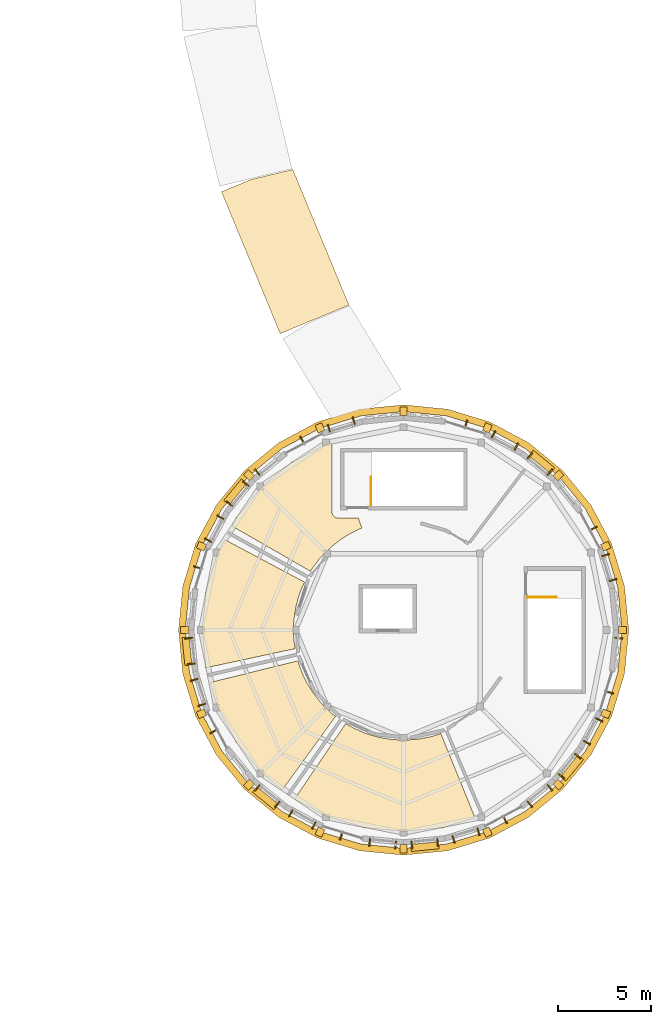
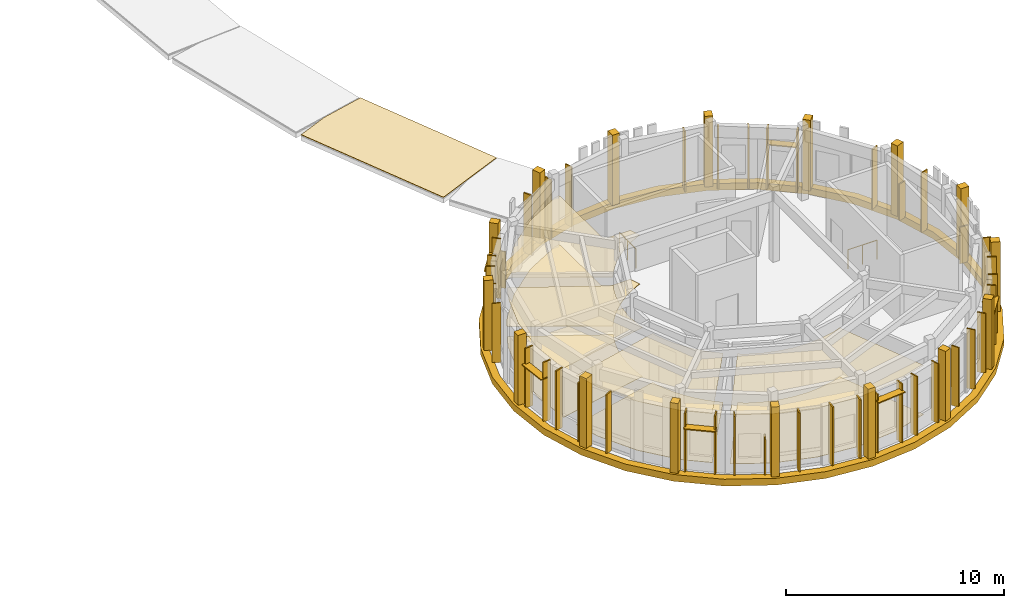
# One storey, part 55 of 58: 48 shading devices, 26 coverings, 2 railings.
"""IFC4 building model written with IfcOpenShell, lengths in metres."""

from ifc_helpers import new_model, si_unit, direction, frame, origin, origin_2d, place, context, subcontext, project, spatial, polyline, rectangle, circle, outline, extrude, material, layer, layer_set, type_object, element, save


model = new_model("IFC4")

# Units and contexts
model_context = context("Model", 3, precision=1e-05, world=origin(), true_north=direction((0.0, 1.0)))
body_context = subcontext(model_context, "Body", "Model", "MODEL_VIEW")
ifc_project = project(units=[si_unit("LENGTHUNIT", "METRE"), si_unit("AREAUNIT", "SQUARE_METRE"), si_unit("VOLUMEUNIT", "CUBIC_METRE"), si_unit("PLANEANGLEUNIT", "RADIAN"), si_unit("MASSUNIT", "GRAM", prefix="KILO")], contexts=[model_context])

# Site, building, storey
site_placement = place(None, origin())
site = spatial("IfcSite", under=ifc_project, at=site_placement, CompositionType="ELEMENT")
building_placement = place(site_placement, origin())
building = spatial("IfcBuilding", under=site, at=building_placement, Name="Aldenvaro Health Centre", CompositionType="ELEMENT")
storey_placement = place(building_placement, frame((0.0, 0.0, 8.75)))
storey = spatial("IfcBuildingStorey", under=building, at=storey_placement, Name="L02", CompositionType="ELEMENT", Elevation=8.75)

# Coverings
ifc_material_1 = material(Name="Antimicrobial Mineral Fibre Ceiling")
ifc_layer_1 = layer(ifc_material_1, 0.01806640625, Name="Antimicrobial Mineral Fibre Ceiling")
ifc_layer_set_1 = layer_set([ifc_layer_1], Name="Antimicrobial Mineral Fibre Ceiling")
covering_type_1 = type_object("IfcCoveringType", Name="COV-CLG-ACT18", PredefinedType="CEILING", material=ifc_layer_set_1)
covering_1_placement = place(storey_placement, frame((0.0, 0.0, 2.75)))
element("IfcCovering", 1, at=covering_1_placement, inside=storey, type_object=covering_type_1, Name="D6-L02-R01 Suspended Ceiling", PredefinedType="CEILING", context=body_context, shape_type="SweptSolid", body=[
    extrude(outline(polyline([(152.01904296875, 23.864013671875), (152.0, 23.85498046875), (151.55908203125, 23.6259765625), (151.5400390625, 23.614990234375), (151.12109375, 23.34912109375), (151.10400390625, 23.3359375), (150.708984375, 23.033935546875), (150.693115234375, 23.02001953125), (150.326904296875, 22.68408203125), (150.31201171875, 22.669921875), (149.97607421875, 22.302978515625), (149.962890625, 22.287109375), (149.660888671875, 21.89208984375), (149.64892578125, 21.875), (149.5048828125, 21.64892578125), (145.27490234375, 24.0810546875), (145.50390625, 24.510009765625), (146.85009765625, 26.14990234375), (148.489990234375, 27.49609375), (150.360107421875, 28.4951171875), (150.60009765625, 28.568115234375), (150.659912109375, 28.403076171875), (150.659912109375, 24.830078125), (150.659912109375, 24.818115234375), (150.660888671875, 24.81005859375), (150.6630859375, 24.787109375), (150.6640625, 24.779052734375), (150.6689453125, 24.756103515625), (150.6708984375, 24.748046875), (150.677001953125, 24.72607421875), (150.679931640625, 24.718994140625), (150.68896484375, 24.697021484375), (150.69189453125, 24.68994140625), (150.7041015625, 24.6689453125), (150.7080078125, 24.662109375), (150.720947265625, 24.64306640625), (150.72509765625, 24.635986328125), (150.739990234375, 24.617919921875), (150.74609375, 24.612060546875), (150.761962890625, 24.595947265625), (150.76806640625, 24.590087890625), (150.785888671875, 24.574951171875), (150.79296875, 24.571044921875), (150.81201171875, 24.55810546875), (150.819091796875, 24.553955078125), (150.840087890625, 24.5419921875), (150.846923828125, 24.5390625), (150.868896484375, 24.530029296875), (150.8759765625, 24.527099609375), (150.89794921875, 24.52099609375), (150.906005859375, 24.51904296875), (150.928955078125, 24.513916015625), (150.93701171875, 24.512939453125), (150.9599609375, 24.510986328125), (150.968017578125, 24.510009765625), (150.97998046875, 24.510009765625), (152.069091796875, 24.510009765625), (152.26611328125, 23.966064453125), (152.01904296875, 23.864013671875)])), origin(), (0.0, 0.0, 1.0), 0.01806640625),
])
covering_2_placement = place(storey_placement, frame((0.0, 0.0, 2.75)))
element("IfcCovering", 2, at=covering_2_placement, inside=storey, type_object=covering_type_1, Name="D6-L02-R02 Suspended Ceiling", PredefinedType="CEILING", context=body_context, shape_type="SweptSolid", body=[
    extrude(outline(polyline([(143.882080078125, 16.468994140625), (143.681884765625, 18.5), (143.888916015625, 20.610107421875), (144.5048828125, 22.639892578125), (144.888916015625, 23.35888671875), (149.18310546875, 21.06689453125), (149.06689453125, 20.825927734375), (149.05908203125, 20.806884765625), (148.884033203125, 20.341064453125), (148.8779296875, 20.321044921875), (148.7451171875, 19.842041015625), (148.739990234375, 19.822021484375), (148.64892578125, 19.3330078125), (148.64599609375, 19.31201171875), (148.59912109375, 18.81689453125), (148.597900390625, 18.7958984375), (148.593994140625, 18.299072265625), (148.593994140625, 18.278076171875), (148.634033203125, 17.782958984375), (148.636962890625, 17.761962890625), (148.680908203125, 17.498046875), (143.882080078125, 16.468994140625)])), origin(), (0.0, 0.0, 1.0), 0.01806640625),
])
covering_3_placement = place(storey_placement, frame((0.0, 0.0, 2.75)))
element("IfcCovering", 3, at=covering_3_placement, inside=storey, type_object=covering_type_1, Name="D6-L02-R03 Suspended Ceiling", PredefinedType="CEILING", context=body_context, shape_type="SweptSolid", body=[
    extrude(outline(polyline([(148.906005859375, 16.593017578125), (148.9130859375, 16.572998046875), (149.094970703125, 16.111083984375), (149.10302734375, 16.091064453125), (149.324951171875, 15.64599609375), (149.3349609375, 15.6279296875), (149.594970703125, 15.2041015625), (149.60595703125, 15.18701171875), (149.902099609375, 14.787109375), (149.9150390625, 14.77099609375), (150.2451171875, 14.39892578125), (150.260009765625, 14.383056640625), (150.62109375, 14.0419921875), (150.636962890625, 14.028076171875), (150.845947265625, 13.862060546875), (147.989013671875, 9.9150390625), (146.85009765625, 10.85009765625), (145.50390625, 12.489990234375), (144.5048828125, 14.360107421875), (144.10498046875, 15.679931640625), (148.8310546875, 16.85009765625), (148.906005859375, 16.593017578125)])), origin(), (0.0, 0.0, 1.0), 0.01806640625),
])
covering_4_placement = place(storey_placement, frame((0.0, 0.0, 2.75)))
element("IfcCovering", 4, at=covering_4_placement, inside=storey, type_object=covering_type_1, Name="D6-L02-R04 Suspended Ceiling", PredefinedType="CEILING", context=body_context, shape_type="SweptSolid", body=[
    extrude(outline(polyline([(148.64404296875, 9.422119140625), (151.39306640625, 13.48291015625), (151.797119140625, 13.2451171875), (151.822998046875, 13.23095703125), (152.4599609375, 12.9541015625), (152.488037109375, 12.944091796875), (153.154052734375, 12.74609375), (153.181884765625, 12.739013671875), (153.867919921875, 12.6240234375), (153.89697265625, 12.62109375), (154.591064453125, 12.591064453125), (154.6201171875, 12.592041015625), (155.31298828125, 12.64697265625), (155.342041015625, 12.65087890625), (156.02294921875, 12.7900390625), (156.051025390625, 12.798095703125), (156.49609375, 12.947021484375), (158.3369140625, 8.4130859375), (156.610107421875, 7.888916015625), (154.5, 7.681884765625), (152.389892578125, 7.888916015625), (150.360107421875, 8.5048828125), (148.64404296875, 9.422119140625)])), origin(), (0.0, 0.0, 1.0), 0.01806640625),
])
ifc_material_2 = material(Name="Honed Sonoran Buff Limestone", Category="masonry")
ifc_layer_2 = layer(ifc_material_2, 0.280029296875, Name="Honed Sonoran Buff Limestone", Category="masonry")
ifc_layer_set_2 = layer_set([ifc_layer_2], Name="Honed Sonoran Buff Limestone")
covering_type_2 = type_object("IfcCoveringType", Name="COV-CRN-STN", PredefinedType="CLADDING", material=ifc_layer_set_2)
covering_5_placement = place(storey_placement, frame((0.0, 0.0, -0.340087890625)))
element("IfcCovering", 5, at=covering_5_placement, inside=storey, type_object=covering_type_2, Name="D6 L02 Classical Stone Entablature Cornice 1", PredefinedType="CLADDING", context=body_context, shape_type="SweptSolid", body=[
    extrude(outline(polyline([(166.580078125, 18.5), (166.347900390625, 20.85693359375), (165.659912109375, 23.123046875), (164.5439453125, 25.2109375), (163.0419921875, 27.0419921875), (161.2109375, 28.5439453125), (159.123046875, 29.659912109375), (156.85693359375, 30.347900390625), (154.5, 30.580078125), (152.14306640625, 30.347900390625), (149.876953125, 29.659912109375), (147.7890625, 28.5439453125), (145.9580078125, 27.0419921875), (144.4560546875, 25.2109375), (143.340087890625, 23.123046875), (142.652099609375, 20.85693359375), (142.419921875, 18.5), (142.652099609375, 16.14306640625), (143.340087890625, 13.876953125), (144.4560546875, 11.7890625), (145.9580078125, 9.9580078125), (147.7890625, 8.4560546875), (149.876953125, 7.340087890625), (152.14306640625, 6.652099609375), (154.5, 6.419921875), (156.85693359375, 6.652099609375), (159.123046875, 7.340087890625), (161.2109375, 8.4560546875), (163.0419921875, 9.9580078125), (164.5439453125, 11.7890625), (165.659912109375, 13.876953125), (166.347900390625, 16.14306640625), (166.580078125, 18.5)]), holes=[polyline([(166.215087890625, 18.5), (165.989990234375, 16.215087890625), (165.322998046875, 14.01708984375), (164.240966796875, 11.990966796875), (162.783935546875, 10.216064453125), (161.009033203125, 8.759033203125), (158.98291015625, 7.677001953125), (156.784912109375, 7.010009765625), (154.5, 6.784912109375), (152.215087890625, 7.010009765625), (150.01708984375, 7.677001953125), (147.990966796875, 8.759033203125), (146.216064453125, 10.216064453125), (144.759033203125, 11.990966796875), (143.677001953125, 14.01708984375), (143.010009765625, 16.215087890625), (142.784912109375, 18.5), (143.010009765625, 20.784912109375), (143.677001953125, 22.98291015625), (144.759033203125, 25.009033203125), (146.216064453125, 26.783935546875), (147.990966796875, 28.240966796875), (150.01708984375, 29.322998046875), (152.215087890625, 29.989990234375), (154.5, 30.215087890625), (156.784912109375, 29.989990234375), (158.98291015625, 29.322998046875), (161.009033203125, 28.240966796875), (162.783935546875, 26.783935546875), (164.240966796875, 25.009033203125), (165.322998046875, 22.98291015625), (165.989990234375, 20.784912109375), (166.215087890625, 18.5)])]), origin(), (0.0, 0.0, 1.0), 0.380126953125),
])
for number, where, z_axis, x_axis, name in (
    (6, (166.239990234375, 18.5, 0.0), (0.0, 0.0, 1.0), (1.0, 0.0, 0.0), "D6 L02 Engaged Classical Limestone Pilaster 01"),
    (7, (165.345947265625, 14.007080078125, 0.0), (0.0, 0.0, 1.0), (0.923863939312, -0.38272107551, 0.0), "D6 L02 Engaged Classical Limestone Pilaster 02"),
    (8, (162.801025390625, 10.198974609375, 0.0), (0.0, 0.0, 1.0), (0.707106781187, -0.707106781187, 0.0), "D6 L02 Engaged Classical Limestone Pilaster 03"),
    (9, (158.992919921875, 7.654052734375, 0.0), (0.0, 0.0, 1.0), (0.38272107551, -0.923863939312, 0.0), "D6 L02 Engaged Classical Limestone Pilaster 04"),
    (10, (154.5, 6.760009765625, 0.0), (0.0, 0.0, 1.0), (0.0, -1.0, 0.0), "D6 L02 Engaged Classical Limestone Pilaster 05"),
    (11, (150.007080078125, 7.654052734375, 0.0), (0.0, 0.0, 1.0), (-0.38272107551, -0.923863939312, 0.0), "D6 L02 Engaged Classical Limestone Pilaster 06"),
    (12, (146.198974609375, 10.198974609375, 0.0), (0.0, 0.0, 1.0), (-0.707106781187, -0.707106781187, 0.0), "D6 L02 Engaged Classical Limestone Pilaster 07"),
    (13, (143.654052734375, 14.007080078125, 0.0), (0.0, 0.0, 1.0), (-0.923863939312, -0.38272107551, 0.0), "D6 L02 Engaged Classical Limestone Pilaster 08"),
    (14, (142.760009765625, 18.5, 0.0), (0.0, 0.0, 1.0), (-1.0, 0.0, 0.0), "D6 L02 Engaged Classical Limestone Pilaster 09"),
    (15, (143.654052734375, 22.992919921875, 0.0), (0.0, 0.0, 1.0), (-0.923863939312, 0.38272107551, 0.0), "D6 L02 Engaged Classical Limestone Pilaster 10"),
    (16, (146.198974609375, 26.801025390625, 0.0), (0.0, 0.0, 1.0), (-0.707106781187, 0.707106781187, 0.0), "D6 L02 Engaged Classical Limestone Pilaster 11"),
    (17, (150.007080078125, 29.345947265625, 0.0), (0.0, 0.0, 1.0), (-0.38272107551, 0.923863939312, 0.0), "D6 L02 Engaged Classical Limestone Pilaster 12"),
    (18, (154.5, 30.239990234375, 0.0), (0.0, 0.0, 1.0), (0.0, 1.0, 0.0), "D6 L02 Engaged Classical Limestone Pilaster 13"),
    (19, (158.992919921875, 29.345947265625, 0.0), (0.0, 0.0, 1.0), (0.38272107551, 0.923863939312, 0.0), "D6 L02 Engaged Classical Limestone Pilaster 14"),
    (20, (162.801025390625, 26.801025390625, 0.0), (0.0, 0.0, 1.0), (0.707106781187, 0.707106781187, 0.0), "D6 L02 Engaged Classical Limestone Pilaster 15"),
    (21, (165.345947265625, 22.992919921875, 0.0), (0.0, 0.0, 1.0), (0.923863939312, 0.38272107551, 0.0), "D6 L02 Engaged Classical Limestone Pilaster 16"),
):
    element("IfcCovering", number, at=place(storey_placement, frame(where, z_axis=z_axis, x_axis=x_axis)), inside=storey, type_object=covering_type_2, Name=name, PredefinedType="CLADDING", context=body_context, shape_type="SweptSolid", body=[
        extrude(rectangle(XDim=0.43994140625, YDim=0.3798828125, at=origin_2d()), origin(), (0.0, 0.0, 1.0), 3.9599609375),
    ])
ifc_material_3 = material(Name="Polished Epoxy Terrazzo Flooring")
ifc_layer_3 = layer(ifc_material_3, 0.02197265625, Name="Polished Epoxy Terrazzo Flooring")
ifc_layer_set_3 = layer_set([ifc_layer_3], Name="Polished Epoxy Terrazzo Flooring")
covering_type_3 = type_object("IfcCoveringType", Name="COV-FLR-TER22", PredefinedType="FLOORING", material=ifc_layer_set_3)
covering_6_placement = place(storey_placement, origin())
element("IfcCovering", 22, at=covering_6_placement, inside=storey, type_object=covering_type_3, Name="D6-L02-R01 Flooring", PredefinedType="FLOORING", context=body_context, shape_type="SweptSolid", body=[
    extrude(outline(polyline([(152.01904296875, 23.864013671875), (152.0, 23.85498046875), (151.55908203125, 23.6259765625), (151.5400390625, 23.614990234375), (151.12109375, 23.34912109375), (151.10400390625, 23.3359375), (150.708984375, 23.033935546875), (150.693115234375, 23.02001953125), (150.326904296875, 22.68408203125), (150.31201171875, 22.669921875), (149.97607421875, 22.302978515625), (149.962890625, 22.287109375), (149.660888671875, 21.89208984375), (149.64892578125, 21.875), (149.5048828125, 21.64892578125), (145.27490234375, 24.0810546875), (145.50390625, 24.510009765625), (146.85009765625, 26.14990234375), (148.489990234375, 27.49609375), (150.360107421875, 28.4951171875), (150.60009765625, 28.568115234375), (150.659912109375, 28.403076171875), (150.659912109375, 24.830078125), (150.659912109375, 24.818115234375), (150.660888671875, 24.81005859375), (150.6630859375, 24.787109375), (150.6640625, 24.779052734375), (150.6689453125, 24.756103515625), (150.6708984375, 24.748046875), (150.677001953125, 24.72607421875), (150.679931640625, 24.718994140625), (150.68896484375, 24.697021484375), (150.69189453125, 24.68994140625), (150.7041015625, 24.6689453125), (150.7080078125, 24.662109375), (150.720947265625, 24.64306640625), (150.72509765625, 24.635986328125), (150.739990234375, 24.617919921875), (150.74609375, 24.612060546875), (150.761962890625, 24.595947265625), (150.76806640625, 24.590087890625), (150.785888671875, 24.574951171875), (150.79296875, 24.571044921875), (150.81201171875, 24.55810546875), (150.819091796875, 24.553955078125), (150.840087890625, 24.5419921875), (150.846923828125, 24.5390625), (150.868896484375, 24.530029296875), (150.8759765625, 24.527099609375), (150.89794921875, 24.52099609375), (150.906005859375, 24.51904296875), (150.928955078125, 24.513916015625), (150.93701171875, 24.512939453125), (150.9599609375, 24.510986328125), (150.968017578125, 24.510009765625), (150.97998046875, 24.510009765625), (152.069091796875, 24.510009765625), (152.26611328125, 23.966064453125), (152.01904296875, 23.864013671875)])), origin(), (0.0, 0.0, 1.0), 0.02197265625),
])
covering_7_placement = place(storey_placement, origin())
element("IfcCovering", 23, at=covering_7_placement, inside=storey, type_object=covering_type_3, Name="D6-L02-R02 Flooring", PredefinedType="FLOORING", context=body_context, shape_type="SweptSolid", body=[
    extrude(outline(polyline([(143.882080078125, 16.468994140625), (143.681884765625, 18.5), (143.888916015625, 20.610107421875), (144.5048828125, 22.639892578125), (144.888916015625, 23.35888671875), (149.18310546875, 21.06689453125), (149.06689453125, 20.825927734375), (149.05908203125, 20.806884765625), (148.884033203125, 20.341064453125), (148.8779296875, 20.321044921875), (148.7451171875, 19.842041015625), (148.739990234375, 19.822021484375), (148.64892578125, 19.3330078125), (148.64599609375, 19.31201171875), (148.59912109375, 18.81689453125), (148.597900390625, 18.7958984375), (148.593994140625, 18.299072265625), (148.593994140625, 18.278076171875), (148.634033203125, 17.782958984375), (148.636962890625, 17.761962890625), (148.680908203125, 17.498046875), (143.882080078125, 16.468994140625)])), origin(), (0.0, 0.0, 1.0), 0.02197265625),
])
covering_8_placement = place(storey_placement, origin())
element("IfcCovering", 24, at=covering_8_placement, inside=storey, type_object=covering_type_3, Name="D6-L02-R03 Flooring", PredefinedType="FLOORING", context=body_context, shape_type="SweptSolid", body=[
    extrude(outline(polyline([(148.906005859375, 16.593017578125), (148.9130859375, 16.572998046875), (149.094970703125, 16.111083984375), (149.10302734375, 16.091064453125), (149.324951171875, 15.64599609375), (149.3349609375, 15.6279296875), (149.594970703125, 15.2041015625), (149.60595703125, 15.18701171875), (149.902099609375, 14.787109375), (149.9150390625, 14.77099609375), (150.2451171875, 14.39892578125), (150.260009765625, 14.383056640625), (150.62109375, 14.0419921875), (150.636962890625, 14.028076171875), (150.845947265625, 13.862060546875), (147.989013671875, 9.9150390625), (146.85009765625, 10.85009765625), (145.50390625, 12.489990234375), (144.5048828125, 14.360107421875), (144.10498046875, 15.679931640625), (148.8310546875, 16.85009765625), (148.906005859375, 16.593017578125)])), origin(), (0.0, 0.0, 1.0), 0.02197265625),
])
covering_9_placement = place(storey_placement, origin())
element("IfcCovering", 25, at=covering_9_placement, inside=storey, type_object=covering_type_3, Name="D6-L02-R04 Flooring", PredefinedType="FLOORING", context=body_context, shape_type="SweptSolid", body=[
    extrude(outline(polyline([(148.64404296875, 9.422119140625), (151.39306640625, 13.48291015625), (151.797119140625, 13.2451171875), (151.822998046875, 13.23095703125), (152.4599609375, 12.9541015625), (152.488037109375, 12.944091796875), (153.154052734375, 12.74609375), (153.181884765625, 12.739013671875), (153.867919921875, 12.6240234375), (153.89697265625, 12.62109375), (154.591064453125, 12.591064453125), (154.6201171875, 12.592041015625), (155.31298828125, 12.64697265625), (155.342041015625, 12.65087890625), (156.02294921875, 12.7900390625), (156.051025390625, 12.798095703125), (156.49609375, 12.947021484375), (158.3369140625, 8.4130859375), (156.610107421875, 7.888916015625), (154.5, 7.681884765625), (152.389892578125, 7.888916015625), (150.360107421875, 8.5048828125), (148.64404296875, 9.422119140625)])), origin(), (0.0, 0.0, 1.0), 0.02197265625),
])
ifc_material_4 = material(Name="TPO Reflective Cool Roof Membrane")
ifc_layer_4 = layer(ifc_material_4, 0.030029296875, Name="TPO Reflective Cool Roof Membrane")
ifc_layer_set_4 = layer_set([ifc_layer_4], Name="TPO Reflective Cool Roof Membrane")
covering_type_4 = type_object("IfcCoveringType", Name="COV-RF-MEM", PredefinedType="ROOFING", material=ifc_layer_set_4)
covering_10_placement = place(storey_placement, frame((0.0, 0.0, 0.06005859375)))
element("IfcCovering", 26, at=covering_10_placement, inside=storey, type_object=covering_type_4, Name="East Curved Garden Colonnade Arc 7 flat roof Cool Limestone Ballast Membrane", PredefinedType="ROOFING", context=body_context, shape_type="SweptSolid", body=[
    extrude(outline(polyline([(151.570068359375, 35.929931640625), (147.8740234375, 34.39990234375), (144.721923828125, 42.011962890625), (146.333984375, 42.678955078125), (148.553955078125, 43.2119140625), (151.570068359375, 35.929931640625)])), origin(), (0.0, 0.0, 1.0), 0.030029296875),
])

# Railings
ifc_material_5 = material(Name="Painted Architectural Steel", Category="steel")
railing_type = type_object("IfcRailingType", Name="RL-BAL-INT", PredefinedType="BALUSTRADE", material=ifc_material_5)
railing_1_placement = place(storey_placement, frame((161.14990234375, 20.25, 0.0)))
element("IfcRailing", 27, at=railing_1_placement, inside=storey, type_object=railing_type, Name="L02 ST-11 top well guard 1", PredefinedType="BALUSTRADE", context=body_context, shape_type="SweptSolid", body=[
    extrude(circle(Radius=0.02392578125, at=origin_2d()), frame((0.0, 0.0, 1.076171875), z_axis=(1.0, 0.0, 0.0), x_axis=(0.0, 1.0, 0.0)), (0.0, 0.0, 1.0), 1.550048828125),
    extrude(circle(Radius=0.02099609375, at=origin_2d()), origin(), (0.0, 0.0, 1.0), 1.052001953125),
    extrude(circle(Radius=0.02099609375, at=origin_2d()), frame((0.77490234375, 0.0, 0.0)), (0.0, 0.0, 1.0), 1.052001953125),
    extrude(circle(Radius=0.02099609375, at=origin_2d()), frame((1.550048828125, 0.0, 0.0)), (0.0, 0.0, 1.0), 1.052001953125),
])
railing_2_placement = place(storey_placement, frame((152.75, 25.14990234375, 0.0)))
element("IfcRailing", 28, at=railing_2_placement, inside=storey, type_object=railing_type, Name="L02 ST-12 top well guard 1", PredefinedType="BALUSTRADE", context=body_context, shape_type="SweptSolid", body=[
    extrude(circle(Radius=0.02392578125, at=origin_2d()), frame((0.0, 0.0, 1.076171875), z_axis=(0.0, 1.0, 0.0), x_axis=(-1.0, 0.0, 0.0)), (0.0, 0.0, 1.0), 1.550048828125),
    extrude(circle(Radius=0.02099609375, at=origin_2d()), origin(), (0.0, 0.0, 1.0), 1.052001953125),
    extrude(circle(Radius=0.02099609375, at=origin_2d()), frame((0.0, 0.77490234375, 0.0)), (0.0, 0.0, 1.0), 1.052001953125),
    extrude(circle(Radius=0.02099609375, at=origin_2d()), frame((0.0, 1.550048828125, 0.0)), (0.0, 0.0, 1.0), 1.052001953125),
])

# Shading devices
ifc_material_6 = material(Name="Douglas Fir Exterior Glulam GL28h", Category="wood")
shading_device_type_1 = type_object("IfcShadingDeviceType", Name="SHD-FIN-205", PredefinedType="USERDEFINED", material=ifc_material_6)
for number, where, z_axis, x_axis, name in (
    (29, (166.032958984375, 18.06494140625, -0.02001953125), (0.0, 0.0, 1.0), (-0.097997250052, -0.995186685493, 0.0), "D6 L02 Douglas fir fin 1.1"),
    (30, (149.68408203125, 8.011962890625, -0.02001953125), (0.0, 0.0, 1.0), (-0.882018256263, 0.471215232797, 0.0), "D6 L02 Douglas fir fin 11.1"),
    (31, (146.653076171875, 26.962890625, -0.02001953125), (0.0, 0.0, 1.0), (0.772859503767, 0.634577172169, 0.0), "D6 L02 Douglas fir fin 21.1"),
    (32, (165.321044921875, 22.511962890625, -0.02001953125), (0.0, 0.0, 1.0), (0.290342622208, -0.956922756407, 0.0), "D6 L02 Douglas fir fin 31.1"),
):
    element("IfcShadingDevice", number, at=place(storey_placement, frame(where, z_axis=z_axis, x_axis=x_axis)), inside=storey, type_object=shading_device_type_1, Name=name, ObjectType="FIN", PredefinedType="USERDEFINED", context=body_context, shape_type="SweptSolid", body=[
        extrude(rectangle(XDim=0.06494140625, YDim=0.419921875, at=origin_2d()), origin(), (0.0, 0.0, 1.0), 2.050048828125),
    ])
shading_device_type_2 = type_object("IfcShadingDeviceType", Name="SHD-FIN-340", PredefinedType="USERDEFINED", material=ifc_material_6)
for number, where, z_axis, x_axis, name in (
    (33, (163.847900390625, 11.72998046875, -0.02001953125), (0.0, 0.0, 1.0), (-0.634577172169, -0.772859503767, 0.0), "D6 L02 Douglas fir fin 4.1"),
    (34, (162.962890625, 10.653076171875, -0.02001953125), (0.0, 0.0, 1.0), (-0.634577172169, -0.772859503767, 0.0), "D6 L02 Douglas fir fin 4.3"),
    (35, (151.14599609375, 7.443115234375, -0.02001953125), (0.0, 0.0, 1.0), (-0.956922756407, 0.290342622208, 0.0), "D6 L02 vertical timber fin 10.0"),
    (36, (143.10400390625, 16.677001953125, -0.02001953125), (0.0, 0.0, 1.0), (-0.097997250052, 0.995186685493, 0.0), "D6 L02 Douglas fir fin 16.1"),
    (37, (142.967041015625, 18.06494140625, -0.02001953125), (0.0, 0.0, 1.0), (-0.097997250052, 0.995186685493, 0.0), "D6 L02 Douglas fir fin 16.3"),
    (38, (149.052978515625, 28.69091796875, -0.02001953125), (0.0, 0.0, 1.0), (0.882018256263, 0.471215232797, 0.0), "D6 L02 vertical timber fin 22.0"),
    (39, (161.27001953125, 27.847900390625, -0.02001953125), (0.0, 0.0, 1.0), (0.772859503767, -0.634577172169, 0.0), "D6 L02 Douglas fir fin 28.1"),
    (40, (162.346923828125, 26.962890625, -0.02001953125), (0.0, 0.0, 1.0), (0.772859503767, -0.634577172169, 0.0), "D6 L02 Douglas fir fin 28.3"),
):
    element("IfcShadingDevice", number, at=place(storey_placement, frame(where, z_axis=z_axis, x_axis=x_axis)), inside=storey, type_object=shading_device_type_2, Name=name, ObjectType="FIN", PredefinedType="USERDEFINED", context=body_context, shape_type="SweptSolid", body=[
        extrude(rectangle(XDim=0.074951171875, YDim=0.419921875, at=origin_2d()), origin(), (0.0, 0.0, 1.0), 3.35400390625),
    ])
shading_device_type_3 = type_object("IfcShadingDeviceType", Name="SHD-FIN-380", PredefinedType="USERDEFINED", material=ifc_material_6)
for number, where, z_axis, x_axis, name in (
    (41, (164.988037109375, 13.68408203125, -0.02001953125), (0.0, 0.0, 1.0), (-0.471215232797, -0.882018256263, 0.0), "D6 L02 Douglas fir fin 3.1"),
    (42, (164.3310546875, 12.4541015625, -0.02001953125), (0.0, 0.0, 1.0), (-0.471215232797, -0.882018256263, 0.0), "D6 L02 Douglas fir fin 3.3"),
    (43, (154.06494140625, 6.967041015625, -0.02001953125), (0.0, 0.0, 1.0), (-0.995186685493, 0.097997250052, 0.0), "D6 L02 Douglas fir fin 9.1"),
    (44, (152.677001953125, 7.10400390625, -0.02001953125), (0.0, 0.0, 1.0), (-0.995186685493, 0.097997250052, 0.0), "D6 L02 Douglas fir fin 9.3"),
    (45, (143.678955078125, 14.488037109375, -0.02001953125), (0.0, 0.0, 1.0), (-0.290342622208, 0.956922756407, 0.0), "D6 L02 Douglas fir fin 15.1"),
    (46, (143.27294921875, 15.822998046875, -0.02001953125), (0.0, 0.0, 1.0), (-0.290342622208, 0.956922756407, 0.0), "D6 L02 Douglas fir fin 15.3"),
    (47, (159.31591796875, 28.988037109375, -0.02001953125), (0.0, 0.0, 1.0), (0.882018256263, -0.471215232797, 0.0), "D6 L02 Douglas fir fin 27.1"),
    (48, (160.5458984375, 28.3310546875, -0.02001953125), (0.0, 0.0, 1.0), (0.882018256263, -0.471215232797, 0.0), "D6 L02 Douglas fir fin 27.3"),
):
    element("IfcShadingDevice", number, at=place(storey_placement, frame(where, z_axis=z_axis, x_axis=x_axis)), inside=storey, type_object=shading_device_type_3, Name=name, ObjectType="FIN", PredefinedType="USERDEFINED", context=body_context, shape_type="SweptSolid", body=[
        extrude(rectangle(XDim=0.074951171875, YDim=0.419921875, at=origin_2d()), origin(), (0.0, 0.0, 1.0), 3.35400390625),
    ])
shading_device_type_4 = type_object("IfcShadingDeviceType", Name="SHD-FIN-400", PredefinedType="USERDEFINED", material=ifc_material_6)
for number, where, z_axis, x_axis, name in (
    (49, (165.556884765625, 15.14599609375, -0.02001953125), (0.0, 0.0, 1.0), (-0.290342622208, -0.956922756407, 0.0), "D6 L02 vertical timber fin 2.0"),
    (50, (156.322998046875, 7.10400390625, -0.02001953125), (0.0, 0.0, 1.0), (-0.995186685493, -0.097997250052, 0.0), "D6 L02 Douglas fir fin 8.1"),
    (51, (154.93505859375, 6.967041015625, -0.02001953125), (0.0, 0.0, 1.0), (-0.995186685493, -0.097997250052, 0.0), "D6 L02 Douglas fir fin 8.3"),
    (52, (144.30908203125, 13.052978515625, -0.02001953125), (0.0, 0.0, 1.0), (-0.471215232797, 0.882018256263, 0.0), "D6 L02 vertical timber fin 14.0"),
    (53, (145.152099609375, 25.27001953125, -0.02001953125), (0.0, 0.0, 1.0), (0.634577172169, 0.772859503767, 0.0), "D6 L02 Douglas fir fin 20.1"),
    (54, (146.037109375, 26.346923828125, -0.02001953125), (0.0, 0.0, 1.0), (0.634577172169, 0.772859503767, 0.0), "D6 L02 Douglas fir fin 20.3"),
    (55, (157.85400390625, 29.556884765625, -0.02001953125), (0.0, 0.0, 1.0), (0.956922756407, -0.290342622208, 0.0), "D6 L02 vertical timber fin 26.0"),
):
    element("IfcShadingDevice", number, at=place(storey_placement, frame(where, z_axis=z_axis, x_axis=x_axis)), inside=storey, type_object=shading_device_type_4, Name=name, ObjectType="FIN", PredefinedType="USERDEFINED", context=body_context, shape_type="SweptSolid", body=[
        extrude(rectangle(XDim=0.06494140625, YDim=0.419921875, at=origin_2d()), origin(), (0.0, 0.0, 1.0), 3.35400390625),
    ])
shading_device_type_5 = type_object("IfcShadingDeviceType", Name="SHD-FIN-420", PredefinedType="USERDEFINED", material=ifc_material_6)
for number, where, z_axis, x_axis, name in (
    (56, (158.511962890625, 7.678955078125, -0.02001953125), (0.0, 0.0, 1.0), (-0.956922756407, -0.290342622208, 0.0), "D6 L02 Douglas fir fin 7.1"),
    (57, (157.177001953125, 7.27294921875, -0.02001953125), (0.0, 0.0, 1.0), (-0.956922756407, -0.290342622208, 0.0), "D6 L02 Douglas fir fin 7.3"),
    (58, (144.011962890625, 23.31591796875, -0.02001953125), (0.0, 0.0, 1.0), (0.471215232797, 0.882018256263, 0.0), "D6 L02 Douglas fir fin 19.1"),
    (59, (144.6689453125, 24.5458984375, -0.02001953125), (0.0, 0.0, 1.0), (0.471215232797, 0.882018256263, 0.0), "D6 L02 Douglas fir fin 19.3"),
    (60, (165.72705078125, 21.177001953125, -0.02001953125), (0.0, 0.0, 1.0), (0.290342622208, -0.956922756407, 0.0), "D6 L02 Douglas fir fin 31.3"),
):
    element("IfcShadingDevice", number, at=place(storey_placement, frame(where, z_axis=z_axis, x_axis=x_axis)), inside=storey, type_object=shading_device_type_5, Name=name, ObjectType="FIN", PredefinedType="USERDEFINED", context=body_context, shape_type="SweptSolid", body=[
        extrude(rectangle(XDim=0.06494140625, YDim=0.419921875, at=origin_2d()), origin(), (0.0, 0.0, 1.0), 3.35400390625),
    ])
shading_device_type_6 = type_object("IfcShadingDeviceType", Name="SHD-FIN-435", PredefinedType="USERDEFINED", material=ifc_material_6)
for number, where, z_axis, x_axis, name in (
    (61, (159.947021484375, 8.30908203125, -0.02001953125), (0.0, 0.0, 1.0), (-0.882018256263, -0.471215232797, 0.0), "D6 L02 vertical timber fin 6.0"),
    (62, (147.72998046875, 9.152099609375, -0.02001953125), (0.0, 0.0, 1.0), (-0.772859503767, 0.634577172169, 0.0), "D6 L02 Douglas fir fin 12.1"),
    (63, (146.653076171875, 10.037109375, -0.02001953125), (0.0, 0.0, 1.0), (-0.772859503767, 0.634577172169, 0.0), "D6 L02 Douglas fir fin 12.3"),
    (64, (143.443115234375, 21.85400390625, -0.02001953125), (0.0, 0.0, 1.0), (0.290342622208, 0.956922756407, 0.0), "D6 L02 vertical timber fin 18.0"),
    (65, (164.69091796875, 23.947021484375, -0.02001953125), (0.0, 0.0, 1.0), (0.471215232797, -0.882018256263, 0.0), "D6 L02 vertical timber fin 30.0"),
):
    element("IfcShadingDevice", number, at=place(storey_placement, frame(where, z_axis=z_axis, x_axis=x_axis)), inside=storey, type_object=shading_device_type_6, Name=name, ObjectType="FIN", PredefinedType="USERDEFINED", context=body_context, shape_type="SweptSolid", body=[
        extrude(rectangle(XDim=0.06494140625, YDim=0.419921875, at=origin_2d()), origin(), (0.0, 0.0, 1.0), 3.35400390625),
    ])
shading_device_type_7 = type_object("IfcShadingDeviceType", Name="SHD-FIN-455", PredefinedType="USERDEFINED", material=ifc_material_6)
for number, where, z_axis, x_axis, name in (
    (66, (162.346923828125, 10.037109375, -0.02001953125), (0.0, 0.0, 1.0), (-0.772859503767, -0.634577172169, 0.0), "D6 L02 Douglas fir fin 5.1"),
    (67, (161.27001953125, 9.152099609375, -0.02001953125), (0.0, 0.0, 1.0), (-0.772859503767, -0.634577172169, 0.0), "D6 L02 Douglas fir fin 5.3"),
    (68, (148.4541015625, 8.6689453125, -0.02001953125), (0.0, 0.0, 1.0), (-0.882018256263, 0.471215232797, 0.0), "D6 L02 Douglas fir fin 11.3"),
    (69, (150.488037109375, 29.321044921875, -0.02001953125), (0.0, 0.0, 1.0), (0.956922756407, 0.290342622208, 0.0), "D6 L02 Douglas fir fin 23.1"),
    (70, (151.822998046875, 29.72705078125, -0.02001953125), (0.0, 0.0, 1.0), (0.956922756407, 0.290342622208, 0.0), "D6 L02 Douglas fir fin 23.3"),
):
    element("IfcShadingDevice", number, at=place(storey_placement, frame(where, z_axis=z_axis, x_axis=x_axis)), inside=storey, type_object=shading_device_type_7, Name=name, ObjectType="FIN", PredefinedType="USERDEFINED", context=body_context, shape_type="SweptSolid", body=[
        extrude(rectangle(XDim=0.06494140625, YDim=0.419921875, at=origin_2d()), origin(), (0.0, 0.0, 1.0), 3.35400390625),
    ])
shading_device_type_8 = type_object("IfcShadingDeviceType", Name="SHD-LVR-150", PredefinedType="JALOUSIE", material=ifc_material_6)
for number, where, z_axis, x_axis, name in (
    (71, (163.529052734375, 11.090087890625, 2.65234375), (0.0, 0.0, 1.0), (-0.634577172169, -0.772859503767, 0.0), "D6 L02 horizontal solar louvre 04"),
    (72, (155.64501953125, 6.8759765625, 2.90234375), (0.0, 0.0, 1.0), (-0.995186685493, -0.097997250052, 0.0), "D6 L02 horizontal solar louvre 08"),
    (73, (147.090087890625, 9.470947265625, 2.50244140625), (0.0, 0.0, 1.0), (-0.772859503767, 0.634577172169, 0.0), "D6 L02 horizontal solar louvre 12"),
    (74, (142.8759765625, 17.35498046875, 2.40234375), (0.0, 0.0, 1.0), (-0.097997250052, 0.995186685493, 0.0), "D6 L02 horizontal solar louvre 16"),
    (75, (145.470947265625, 25.909912109375, 2.40234375), (0.0, 0.0, 1.0), (0.634577172169, 0.772859503767, 0.0), "D6 L02 horizontal solar louvre 20"),
    (76, (161.909912109375, 27.529052734375, 2.302734375), (0.0, 0.0, 1.0), (0.772859503767, -0.634577172169, 0.0), "D6 L02 horizontal solar louvre 28"),
):
    element("IfcShadingDevice", number, at=place(storey_placement, frame(where, z_axis=z_axis, x_axis=x_axis)), inside=storey, type_object=shading_device_type_8, Name=name, PredefinedType="JALOUSIE", context=body_context, shape_type="SweptSolid", body=[
        extrude(rectangle(XDim=1.5, YDim=0.3798828125, at=origin_2d()), origin(), (0.0, 0.0, 1.0), 0.054931640625),
    ])

save(model, "model.ifc")
